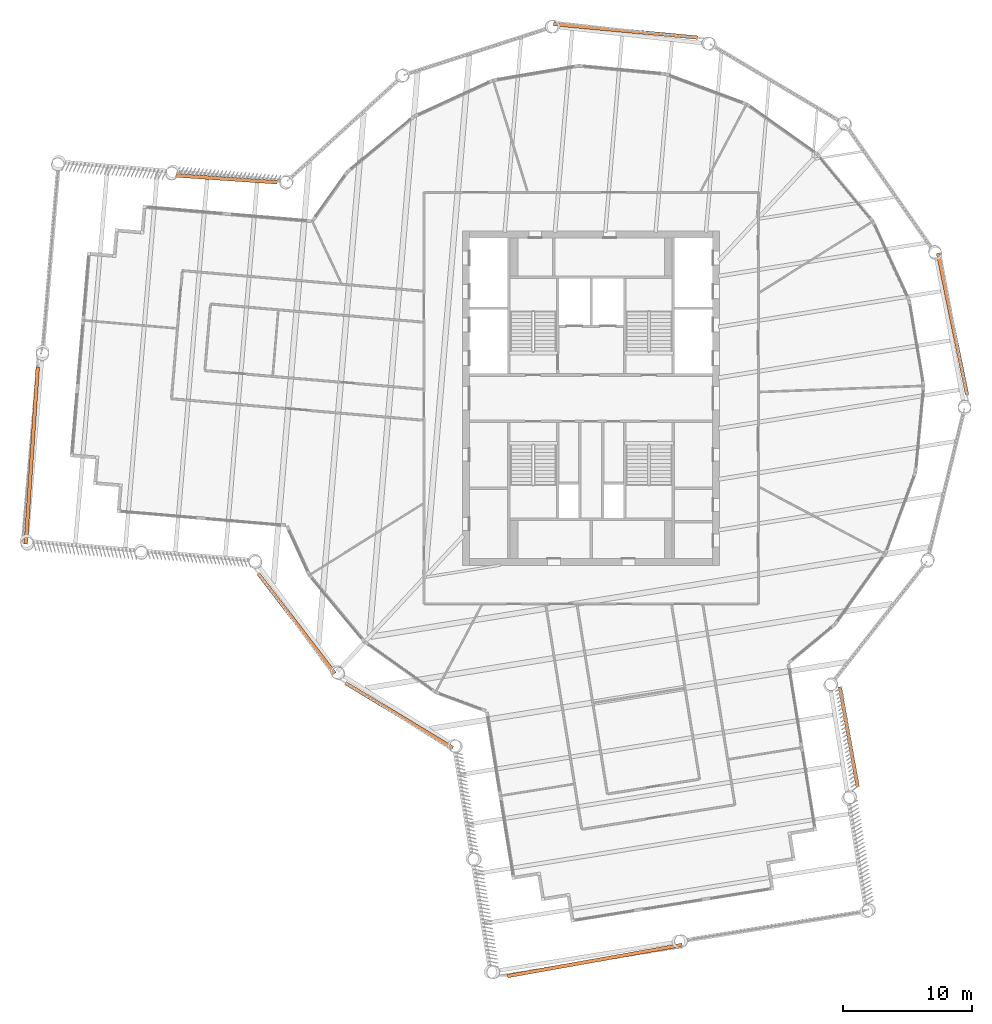
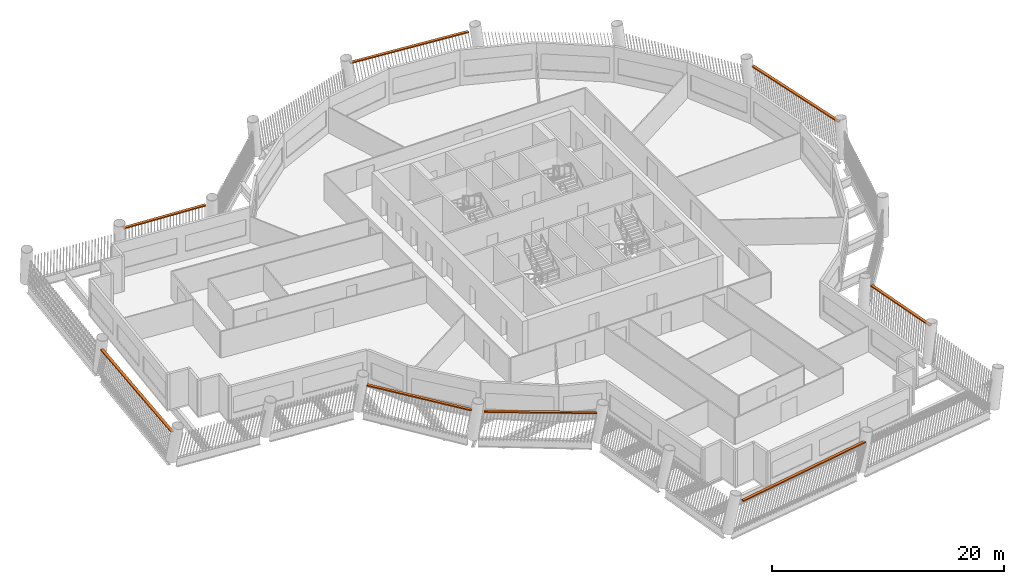
# One storey, part 14 of 14: 8 proxies.
"""IFC4 building model written with IfcOpenShell, lengths in metres."""

from ifc_helpers import new_model, si_unit, direction, frame, origin, origin_2d, place, context, subcontext, project, spatial, rectangle, extrude, material, type_object, element, save


model = new_model("IFC4")

# Units and contexts
model_context = context("Model", 3, precision=1e-05, world=origin(), true_north=direction((0.0, 1.0)))
body_context = subcontext(model_context, "Body", "Model", "MODEL_VIEW")
ifc_project = project(units=[si_unit("LENGTHUNIT", "METRE"), si_unit("AREAUNIT", "SQUARE_METRE"), si_unit("VOLUMEUNIT", "CUBIC_METRE"), si_unit("PLANEANGLEUNIT", "RADIAN"), si_unit("MASSUNIT", "GRAM", prefix="KILO")], contexts=[model_context])

# Site, building, storey
site_placement = place(None, origin())
site = spatial("IfcSite", under=ifc_project, at=site_placement, CompositionType="ELEMENT")
building_placement = place(site_placement, origin())
building = spatial("IfcBuilding", under=site, at=building_placement, Name="Tarsis Ring Headquarters", CompositionType="ELEMENT")
storey_placement = place(building_placement, frame((0.0, 0.0, 266.89990234375)))
storey = spatial("IfcBuildingStorey", under=building, at=storey_placement, Name="L62", CompositionType="ELEMENT", Elevation=266.89990234375)

# Proxies
ifc_material = material(Name="Structural steel S355", Category="steel")
building_element_proxy_type = type_object("IfcBuildingElementProxyType", Name="Screen bracket plate", PredefinedType="USERDEFINED", material=ifc_material)
proxy_1_placement = place(storey_placement, frame((-14.937744140625, -24.669921875, 2.9677734375), z_axis=(0.0, 0.0, 1.0), x_axis=(0.855409309609, -0.517952616593, 0.0)))
element("IfcBuildingElementProxy", 1, at=proxy_1_placement, inside=storey, type_object=building_element_proxy_type, Name="Screen bracket L62-00", ObjectType="Bracket", PredefinedType="USERDEFINED", context=body_context, shape_type="SweptSolid", body=[
    extrude(rectangle(XDim=9.771728515625, YDim=0.280029296875, at=origin_2d()), origin(), (0.0, 0.0, 1.0), 0.1201171875),
])
proxy_2_placement = place(storey_placement, frame((0.287353515625, -43.724853515625, 2.9677734375), z_axis=(0.0, 0.0, 1.0), x_axis=(0.984441899327, 0.175710406204, 0.0)))
element("IfcBuildingElementProxy", 2, at=proxy_2_placement, inside=storey, type_object=building_element_proxy_type, Name="Screen bracket L62-03", ObjectType="Bracket", PredefinedType="USERDEFINED", context=body_context, shape_type="SweptSolid", body=[
    extrude(rectangle(XDim=13.800048828125, YDim=0.280029296875, at=origin_2d()), origin(), (0.0, 0.0, 1.0), 0.1201171875),
])
proxy_3_placement = place(storey_placement, frame((20.0341796875, -26.336181640625, 2.9677734375), z_axis=(0.0, 0.0, 1.0), x_axis=(-0.175710320296, 0.984441914661, 0.0)))
element("IfcBuildingElementProxy", 3, at=proxy_3_placement, inside=storey, type_object=building_element_proxy_type, Name="Screen bracket L62-06", ObjectType="Bracket", PredefinedType="USERDEFINED", context=body_context, shape_type="SweptSolid", body=[
    extrude(rectangle(XDim=7.90234375, YDim=0.280029296875, at=origin_2d()), origin(), (0.0, 0.0, 1.0), 0.1201171875),
])
for number, where, z_axis, x_axis, name in (
    (4, (28.10400390625, 5.772216796875, 2.9677734375), (0.0, 0.0, 1.0), (-0.201184963094, 0.979553270948, 0.0), "Screen bracket L62-09"),
    (5, (2.68310546875, 28.564697265625, 2.9677734375), (0.0, 0.0, 1.0), (-0.995617208298, 0.093522053767, 0.0), "Screen bracket L62-12"),
):
    element("IfcBuildingElementProxy", number, at=place(storey_placement, frame(where, z_axis=z_axis, x_axis=x_axis)), inside=storey, type_object=building_element_proxy_type, Name=name, ObjectType="Bracket", PredefinedType="USERDEFINED", context=body_context, shape_type="SweptSolid", body=[
        extrude(rectangle(XDim=11.248779296875, YDim=0.280029296875, at=origin_2d()), origin(), (0.0, 0.0, 1.0), 0.1201171875),
    ])
proxy_4_placement = place(storey_placement, frame((-28.357666015625, 17.052978515625, 2.9677734375), z_axis=(0.0, 0.0, 1.0), x_axis=(-0.997707968135, 0.067666907124, 0.0)))
element("IfcBuildingElementProxy", 6, at=proxy_4_placement, inside=storey, type_object=building_element_proxy_type, Name="Screen bracket L62-15", ObjectType="Bracket", PredefinedType="USERDEFINED", context=body_context, shape_type="SweptSolid", body=[
    extrude(rectangle(XDim=7.90234375, YDim=0.280029296875, at=origin_2d()), origin(), (0.0, 0.0, 1.0), 0.1201171875),
])
proxy_5_placement = place(storey_placement, frame((-43.496826171875, -4.467041015625, 2.9677734375), z_axis=(0.0, 0.0, 1.0), x_axis=(-0.067667029017, -0.997707959868, 0.0)))
element("IfcBuildingElementProxy", 7, at=proxy_5_placement, inside=storey, type_object=building_element_proxy_type, Name="Screen bracket L62-18", ObjectType="Bracket", PredefinedType="USERDEFINED", context=body_context, shape_type="SweptSolid", body=[
    extrude(rectangle(XDim=13.800048828125, YDim=0.280029296875, at=origin_2d()), origin(), (0.0, 0.0, 1.0), 0.1201171875),
])
proxy_6_placement = place(storey_placement, frame((-22.900146484375, -17.530517578125, 2.9677734375), z_axis=(0.0, 0.0, 1.0), x_axis=(0.607861200668, -0.794043299023, 0.0)))
element("IfcBuildingElementProxy", 8, at=proxy_6_placement, inside=storey, type_object=building_element_proxy_type, Name="Screen bracket L62-21", ObjectType="Bracket", PredefinedType="USERDEFINED", context=body_context, shape_type="SweptSolid", body=[
    extrude(rectangle(XDim=9.771728515625, YDim=0.280029296875, at=origin_2d()), origin(), (0.0, 0.0, 1.0), 0.1201171875),
])

save(model, "model.ifc")
